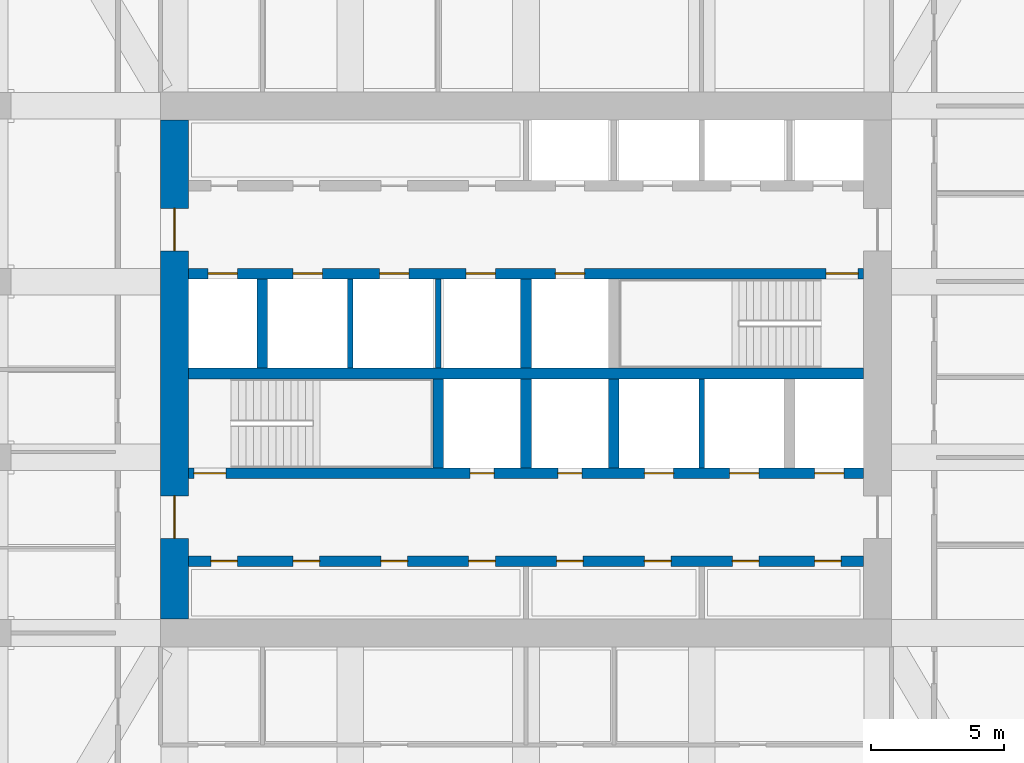
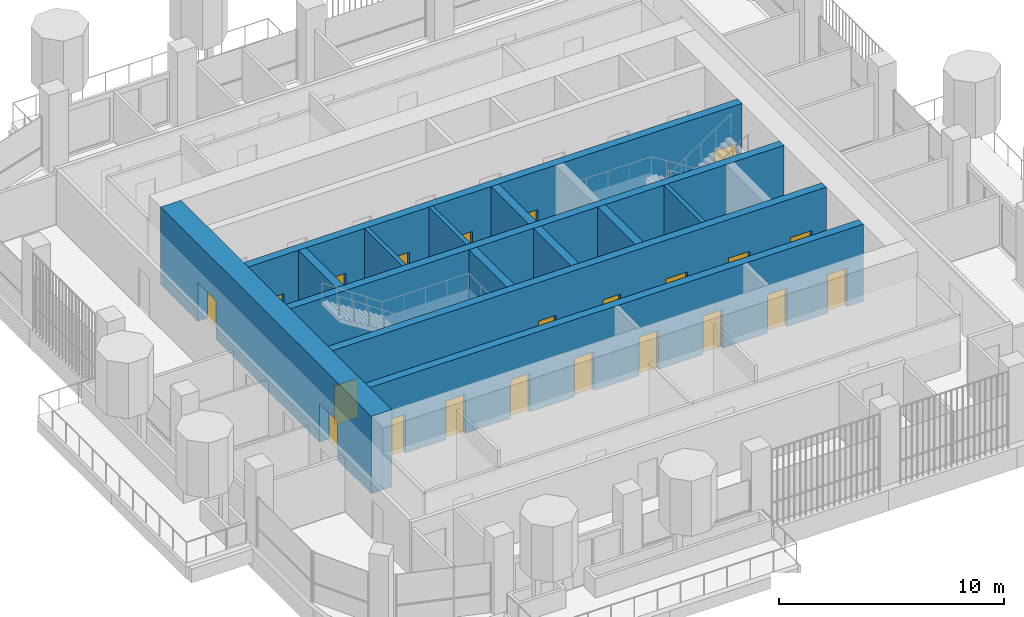
# One storey, part 13 of 20: 22 doors, 13 walls, 22 openings.
"""IFC4 building model written with IfcOpenShell, lengths in metres."""

from ifc_helpers import new_model, si_unit, direction, frame, frame_2d, origin, place, context, subcontext, project, spatial, rectangle, extrude, material, layer, layer_set, type_object, element, fill, save


model = new_model("IFC4")

# Units and contexts
model_context = context("Model", 3, precision=1e-05, world=origin(), true_north=direction((0.0, 1.0)))
body_context = subcontext(model_context, "Body", "Model", "MODEL_VIEW")
ifc_project = project(units=[si_unit("LENGTHUNIT", "METRE"), si_unit("AREAUNIT", "SQUARE_METRE"), si_unit("VOLUMEUNIT", "CUBIC_METRE"), si_unit("PLANEANGLEUNIT", "RADIAN"), si_unit("MASSUNIT", "GRAM", prefix="KILO")], contexts=[model_context])

# Site, building, storey
site_placement = place(None, origin())
site = spatial("IfcSite", under=ifc_project, at=site_placement, CompositionType="ELEMENT")
building_placement = place(site_placement, origin())
building = spatial("IfcBuilding", under=site, at=building_placement, Name="Cobogo Forest Laboratory Tower", CompositionType="ELEMENT")
storey_placement = place(building_placement, frame((0.0, 0.0, 279.60009765625)))
storey = spatial("IfcBuildingStorey", under=building, at=storey_placement, Name="L64", CompositionType="ELEMENT", Elevation=279.60009765625)

# Wall, openings, doors
ifc_material_1 = material(Name="Concrete HA-50 (C50/60)", Category="concrete")
ifc_layer_1 = layer(ifc_material_1, 0.39990234375)
ifc_layer_set_1 = layer_set([ifc_layer_1], Name="CI400 core inner wall 400")
wall_type_1 = type_object("IfcWallType", Name="CI400 core inner wall 400", PredefinedType="SHEAR", material=ifc_layer_set_1)
wall_1_placement = place(storey_placement, frame((13.72509765625, 15.89990234375, 0.0), z_axis=(0.0, 0.0, 1.0), x_axis=(1.0, 0.0, 0.0)))
wall_1 = element("IfcWall", 1, at=wall_1_placement, inside=storey, type_object=wall_type_1, Name="Core wall CI-15.9 L64", PredefinedType="SHEAR", context=body_context, shape_type="SweptSolid", body=[
    extrude(rectangle(XDim=25.349853515625, YDim=0.39990234375, at=frame_2d((12.6748046875, 0.0))), origin(), (0.0, 0.0, 1.0), 4.199951171875),
])
opening_1_placement = place(wall_1_placement, frame((0.83740234375, 0.0, 0.0)))
opening_1 = element("IfcOpeningElement", 2, at=opening_1_placement, cuts=wall_1, Name="Opening L64-D13", PredefinedType="OPENING", context=body_context, shape_type="SweptSolid", body=[
    extrude(rectangle(XDim=1.0, YDim=2.10009765625, at=frame_2d((0.5, 1.050048828125))), frame((0.0, 0.2099609375, 0.0), z_axis=(0.0, -1.0, 0.0), x_axis=(1.0, 0.0, 0.0)), (0.0, 0.0, 1.0), 0.419921875),
])
opening_2_placement = place(wall_1_placement, frame((3.925048828125, 0.0, 0.0)))
opening_2 = element("IfcOpeningElement", 3, at=opening_2_placement, cuts=wall_1, Name="Opening L64-D14", PredefinedType="OPENING", context=body_context, shape_type="SweptSolid", body=[
    extrude(rectangle(XDim=1.0, YDim=2.10009765625, at=frame_2d((0.5, 1.050048828125))), frame((0.0, 0.2099609375, 0.0), z_axis=(0.0, -1.0, 0.0), x_axis=(1.0, 0.0, 0.0)), (0.0, 0.0, 1.0), 0.419921875),
])
opening_3_placement = place(wall_1_placement, frame((7.22509765625, 0.0, 0.0)))
opening_3 = element("IfcOpeningElement", 4, at=opening_3_placement, cuts=wall_1, Name="Opening L64-D15", PredefinedType="OPENING", context=body_context, shape_type="SweptSolid", body=[
    extrude(rectangle(XDim=1.0, YDim=2.10009765625, at=frame_2d((0.5, 1.050048828125))), frame((0.0, 0.2099609375, 0.0), z_axis=(0.0, -1.0, 0.0), x_axis=(1.0, 0.0, 0.0)), (0.0, 0.0, 1.0), 0.419921875),
])
opening_4_placement = place(wall_1_placement, frame((10.52490234375, 0.0, 0.0)))
opening_4 = element("IfcOpeningElement", 5, at=opening_4_placement, cuts=wall_1, Name="Opening L64-D16", PredefinedType="OPENING", context=body_context, shape_type="SweptSolid", body=[
    extrude(rectangle(XDim=1.0, YDim=2.10009765625, at=frame_2d((0.5, 1.050048828125))), frame((0.0, 0.2099609375, 0.0), z_axis=(0.0, -1.0, 0.0), x_axis=(1.0, 0.0, 0.0)), (0.0, 0.0, 1.0), 0.419921875),
])
opening_5_placement = place(wall_1_placement, frame((13.824951171875, 0.0, 0.0)))
opening_5 = element("IfcOpeningElement", 6, at=opening_5_placement, cuts=wall_1, Name="Opening L64-D17", PredefinedType="OPENING", context=body_context, shape_type="SweptSolid", body=[
    extrude(rectangle(XDim=1.0, YDim=2.10009765625, at=frame_2d((0.5, 1.050048828125))), frame((0.0, 0.2099609375, 0.0), z_axis=(0.0, -1.0, 0.0), x_axis=(1.0, 0.0, 0.0)), (0.0, 0.0, 1.0), 0.419921875),
])
opening_6_placement = place(wall_1_placement, frame((17.125, 0.0, 0.0)))
opening_6 = element("IfcOpeningElement", 7, at=opening_6_placement, cuts=wall_1, Name="Opening L64-D18", PredefinedType="OPENING", context=body_context, shape_type="SweptSolid", body=[
    extrude(rectangle(XDim=1.0, YDim=2.10009765625, at=frame_2d((0.5, 1.050048828125))), frame((0.0, 0.2099609375, 0.0), z_axis=(0.0, -1.0, 0.0), x_axis=(1.0, 0.0, 0.0)), (0.0, 0.0, 1.0), 0.419921875),
])
opening_7_placement = place(wall_1_placement, frame((20.425048828125, 0.0, 0.0)))
opening_7 = element("IfcOpeningElement", 8, at=opening_7_placement, cuts=wall_1, Name="Opening L64-D19", PredefinedType="OPENING", context=body_context, shape_type="SweptSolid", body=[
    extrude(rectangle(XDim=1.0, YDim=2.10009765625, at=frame_2d((0.5, 1.050048828125))), frame((0.0, 0.2099609375, 0.0), z_axis=(0.0, -1.0, 0.0), x_axis=(1.0, 0.0, 0.0)), (0.0, 0.0, 1.0), 0.419921875),
])
opening_8_placement = place(wall_1_placement, frame((23.512451171875, 0.0, 0.0)))
opening_8 = element("IfcOpeningElement", 9, at=opening_8_placement, cuts=wall_1, Name="Opening L64-D20", PredefinedType="OPENING", context=body_context, shape_type="SweptSolid", body=[
    extrude(rectangle(XDim=1.0, YDim=2.10009765625, at=frame_2d((0.5, 1.050048828125))), frame((0.0, 0.2099609375, 0.0), z_axis=(0.0, -1.0, 0.0), x_axis=(1.0, 0.0, 0.0)), (0.0, 0.0, 1.0), 0.419921875),
])
ifc_material_2 = material(Name="Steel fire door", Category="steel")
door_type_1 = type_object("IfcDoorType", Name="FD1 fire door 1000 EI2 60", OperationType="SINGLE_SWING_LEFT", PredefinedType="DOOR", material=ifc_material_2)
door_1_placement = place(opening_1_placement, origin())
door_1 = element("IfcDoor", 10, at=door_1_placement, inside=storey, type_object=door_type_1, Name="Door L64-SH-LA1", OperationType="SINGLE_SWING_LEFT", OverallHeight=2.10009765625, OverallWidth=1.0, PredefinedType="DOOR", context=body_context, shape_type="SweptSolid", body=[
    extrude(rectangle(XDim=1.0, YDim=2.10009765625, at=frame_2d((0.5, 1.050048828125))), frame((0.0, 0.02490234375, 0.0), z_axis=(0.0, -1.0, 0.0), x_axis=(1.0, 0.0, 0.0)), (0.0, 0.0, 1.0), 0.050048828125),
])
fill(opening_1, door_1)
door_2_placement = place(opening_2_placement, origin())
door_2 = element("IfcDoor", 11, at=door_2_placement, inside=storey, type_object=door_type_1, Name="Door L64-SH-LA2", OperationType="SINGLE_SWING_LEFT", OverallHeight=2.10009765625, OverallWidth=1.0, PredefinedType="DOOR", context=body_context, shape_type="SweptSolid", body=[
    extrude(rectangle(XDim=1.0, YDim=2.10009765625, at=frame_2d((0.5, 1.050048828125))), frame((0.0, 0.02490234375, 0.0), z_axis=(0.0, -1.0, 0.0), x_axis=(1.0, 0.0, 0.0)), (0.0, 0.0, 1.0), 0.050048828125),
])
fill(opening_2, door_2)
door_3_placement = place(opening_3_placement, origin())
door_3 = element("IfcDoor", 12, at=door_3_placement, inside=storey, type_object=door_type_1, Name="Door L64-SH-LA3", OperationType="SINGLE_SWING_LEFT", OverallHeight=2.10009765625, OverallWidth=1.0, PredefinedType="DOOR", context=body_context, shape_type="SweptSolid", body=[
    extrude(rectangle(XDim=1.0, YDim=2.10009765625, at=frame_2d((0.5, 1.050048828125))), frame((0.0, 0.02490234375, 0.0), z_axis=(0.0, -1.0, 0.0), x_axis=(1.0, 0.0, 0.0)), (0.0, 0.0, 1.0), 0.050048828125),
])
fill(opening_3, door_3)
door_4_placement = place(opening_4_placement, origin())
door_4 = element("IfcDoor", 13, at=door_4_placement, inside=storey, type_object=door_type_1, Name="Door L64-SH-LA4", OperationType="SINGLE_SWING_LEFT", OverallHeight=2.10009765625, OverallWidth=1.0, PredefinedType="DOOR", context=body_context, shape_type="SweptSolid", body=[
    extrude(rectangle(XDim=1.0, YDim=2.10009765625, at=frame_2d((0.5, 1.050048828125))), frame((0.0, 0.02490234375, 0.0), z_axis=(0.0, -1.0, 0.0), x_axis=(1.0, 0.0, 0.0)), (0.0, 0.0, 1.0), 0.050048828125),
])
fill(opening_4, door_4)
door_5_placement = place(opening_5_placement, origin())
door_5 = element("IfcDoor", 14, at=door_5_placement, inside=storey, type_object=door_type_1, Name="Door L64-SH-LB1", OperationType="SINGLE_SWING_RIGHT", OverallHeight=2.10009765625, OverallWidth=1.0, PredefinedType="DOOR", context=body_context, shape_type="SweptSolid", body=[
    extrude(rectangle(XDim=1.0, YDim=2.10009765625, at=frame_2d((0.5, 1.050048828125))), frame((0.0, 0.02490234375, 0.0), z_axis=(0.0, -1.0, 0.0), x_axis=(1.0, 0.0, 0.0)), (0.0, 0.0, 1.0), 0.050048828125),
])
fill(opening_5, door_5)
door_6_placement = place(opening_6_placement, origin())
door_6 = element("IfcDoor", 15, at=door_6_placement, inside=storey, type_object=door_type_1, Name="Door L64-SH-LB2", OperationType="SINGLE_SWING_RIGHT", OverallHeight=2.10009765625, OverallWidth=1.0, PredefinedType="DOOR", context=body_context, shape_type="SweptSolid", body=[
    extrude(rectangle(XDim=1.0, YDim=2.10009765625, at=frame_2d((0.5, 1.050048828125))), frame((0.0, 0.02490234375, 0.0), z_axis=(0.0, -1.0, 0.0), x_axis=(1.0, 0.0, 0.0)), (0.0, 0.0, 1.0), 0.050048828125),
])
fill(opening_6, door_6)
door_7_placement = place(opening_7_placement, origin())
door_7 = element("IfcDoor", 16, at=door_7_placement, inside=storey, type_object=door_type_1, Name="Door L64-SH-LB3", OperationType="SINGLE_SWING_RIGHT", OverallHeight=2.10009765625, OverallWidth=1.0, PredefinedType="DOOR", context=body_context, shape_type="SweptSolid", body=[
    extrude(rectangle(XDim=1.0, YDim=2.10009765625, at=frame_2d((0.5, 1.050048828125))), frame((0.0, 0.02490234375, 0.0), z_axis=(0.0, -1.0, 0.0), x_axis=(1.0, 0.0, 0.0)), (0.0, 0.0, 1.0), 0.050048828125),
])
fill(opening_7, door_7)
door_8_placement = place(opening_8_placement, origin())
door_8 = element("IfcDoor", 17, at=door_8_placement, inside=storey, type_object=door_type_1, Name="Door L64-SH-LB4", OperationType="SINGLE_SWING_RIGHT", OverallHeight=2.10009765625, OverallWidth=1.0, PredefinedType="DOOR", context=body_context, shape_type="SweptSolid", body=[
    extrude(rectangle(XDim=1.0, YDim=2.10009765625, at=frame_2d((0.5, 1.050048828125))), frame((0.0, 0.02490234375, 0.0), z_axis=(0.0, -1.0, 0.0), x_axis=(1.0, 0.0, 0.0)), (0.0, 0.0, 1.0), 0.050048828125),
])
fill(opening_8, door_8)

wall_2_placement = place(storey_placement, frame((13.72509765625, 19.199951171875, 0.0), z_axis=(0.0, 0.0, 1.0), x_axis=(1.0, 0.0, 0.0)))
wall_2 = element("IfcWall", 18, at=wall_2_placement, inside=storey, type_object=wall_type_1, Name="Core wall CI-19.2 L64", PredefinedType="SHEAR", context=body_context, shape_type="SweptSolid", body=[
    extrude(rectangle(XDim=25.349853515625, YDim=0.39990234375, at=frame_2d((12.6748046875, 0.0))), origin(), (0.0, 0.0, 1.0), 4.199951171875),
])
opening_9_placement = place(wall_2_placement, frame((10.574951171875, 0.0, 0.0)))
opening_9 = element("IfcOpeningElement", 19, at=opening_9_placement, cuts=wall_2, Name="Opening L64-D28", PredefinedType="OPENING", context=body_context, shape_type="SweptSolid", body=[
    extrude(rectangle(XDim=0.89990234375, YDim=2.10009765625, at=frame_2d((0.449951171875, 1.050048828125))), frame((0.0, 0.2099609375, 0.0), z_axis=(0.0, -1.0, 0.0), x_axis=(1.0, 0.0, 0.0)), (0.0, 0.0, 1.0), 0.419921875),
])
opening_10_placement = place(wall_2_placement, frame((13.875, 0.0, 0.0)))
opening_10 = element("IfcOpeningElement", 20, at=opening_10_placement, cuts=wall_2, Name="Opening L64-D29", PredefinedType="OPENING", context=body_context, shape_type="SweptSolid", body=[
    extrude(rectangle(XDim=0.89990234375, YDim=2.10009765625, at=frame_2d((0.449951171875, 1.050048828125))), frame((0.0, 0.2099609375, 0.0), z_axis=(0.0, -1.0, 0.0), x_axis=(1.0, 0.0, 0.0)), (0.0, 0.0, 1.0), 0.419921875),
])
opening_11_placement = place(wall_2_placement, frame((0.199951171875, 0.0, 0.0)))
opening_11 = element("IfcOpeningElement", 21, at=opening_11_placement, cuts=wall_2, Name="Opening L64-D27", PredefinedType="OPENING", context=body_context, shape_type="SweptSolid", body=[
    extrude(rectangle(XDim=1.199951171875, YDim=2.10009765625, at=frame_2d((0.60009765625, 1.050048828125))), frame((0.0, 0.2099609375, 0.0), z_axis=(0.0, -1.0, 0.0), x_axis=(1.0, 0.0, 0.0)), (0.0, 0.0, 1.0), 0.419921875),
])
opening_12_placement = place(wall_2_placement, frame((23.512451171875, 0.0, 0.0)))
opening_12 = element("IfcOpeningElement", 22, at=opening_12_placement, cuts=wall_2, Name="Opening L64-LD-FL2", PredefinedType="OPENING", context=body_context, shape_type="SweptSolid", body=[
    extrude(rectangle(XDim=1.10009765625, YDim=2.10009765625, at=frame_2d((0.550048828125, 1.050048828125))), frame((0.0, 0.2099609375, 0.0), z_axis=(0.0, -1.0, 0.0), x_axis=(1.0, 0.0, 0.0)), (0.0, 0.0, 1.0), 0.419921875),
])
opening_13_placement = place(wall_2_placement, frame((17.125, 0.0, 0.0)))
opening_13 = element("IfcOpeningElement", 23, at=opening_13_placement, cuts=wall_2, Name="Opening L64-LD-LS1", PredefinedType="OPENING", context=body_context, shape_type="SweptSolid", body=[
    extrude(rectangle(XDim=1.10009765625, YDim=2.10009765625, at=frame_2d((0.550048828125, 1.050048828125))), frame((0.0, 0.2099609375, 0.0), z_axis=(0.0, -1.0, 0.0), x_axis=(1.0, 0.0, 0.0)), (0.0, 0.0, 1.0), 0.419921875),
])
opening_14_placement = place(wall_2_placement, frame((20.324951171875, 0.0, 0.0)))
opening_14 = element("IfcOpeningElement", 24, at=opening_14_placement, cuts=wall_2, Name="Opening L64-LD-LS2", PredefinedType="OPENING", context=body_context, shape_type="SweptSolid", body=[
    extrude(rectangle(XDim=1.10009765625, YDim=2.10009765625, at=frame_2d((0.550048828125, 1.050048828125))), frame((0.0, 0.2099609375, 0.0), z_axis=(0.0, -1.0, 0.0), x_axis=(1.0, 0.0, 0.0)), (0.0, 0.0, 1.0), 0.419921875),
])
door_type_2 = type_object("IfcDoorType", Name="DS1 protected stair door 1200 EI2 60", OperationType="SINGLE_SWING_LEFT", PredefinedType="DOOR", material=ifc_material_2)
door_9_placement = place(opening_11_placement, origin())
door_9 = element("IfcDoor", 25, at=door_9_placement, inside=storey, type_object=door_type_2, Name="Door L64-ST1", OperationType="SINGLE_SWING_LEFT", OverallHeight=2.10009765625, OverallWidth=1.199951171875, PredefinedType="DOOR", context=body_context, shape_type="SweptSolid", body=[
    extrude(rectangle(XDim=1.199951171875, YDim=2.10009765625, at=frame_2d((0.60009765625, 1.050048828125))), frame((0.0, 0.02490234375, 0.0), z_axis=(0.0, -1.0, 0.0), x_axis=(1.0, 0.0, 0.0)), (0.0, 0.0, 1.0), 0.050048828125),
])
fill(opening_11, door_9)
door_type_3 = type_object("IfcDoorType", Name="FD4 riser access door 900 EI2 60", OperationType="SINGLE_SWING_LEFT", PredefinedType="DOOR", material=ifc_material_2)
door_10_placement = place(opening_9_placement, origin())
door_10 = element("IfcDoor", 26, at=door_10_placement, inside=storey, type_object=door_type_3, Name="Door L64-R1", OperationType="SINGLE_SWING_LEFT", OverallHeight=2.10009765625, OverallWidth=0.89990234375, PredefinedType="DOOR", context=body_context, shape_type="SweptSolid", body=[
    extrude(rectangle(XDim=0.89990234375, YDim=2.10009765625, at=frame_2d((0.449951171875, 1.050048828125))), frame((0.0, 0.02490234375, 0.0), z_axis=(0.0, -1.0, 0.0), x_axis=(1.0, 0.0, 0.0)), (0.0, 0.0, 1.0), 0.050048828125),
])
fill(opening_9, door_10)
door_11_placement = place(opening_10_placement, origin())
door_11 = element("IfcDoor", 27, at=door_11_placement, inside=storey, type_object=door_type_3, Name="Door L64-R2", OperationType="SINGLE_SWING_RIGHT", OverallHeight=2.10009765625, OverallWidth=0.89990234375, PredefinedType="DOOR", context=body_context, shape_type="SweptSolid", body=[
    extrude(rectangle(XDim=0.89990234375, YDim=2.10009765625, at=frame_2d((0.449951171875, 1.050048828125))), frame((0.0, 0.02490234375, 0.0), z_axis=(0.0, -1.0, 0.0), x_axis=(1.0, 0.0, 0.0)), (0.0, 0.0, 1.0), 0.050048828125),
])
fill(opening_10, door_11)
ifc_material_3 = material(Name="Stainless steel lift door", Category="steel")
door_type_4 = type_object("IfcDoorType", Name="LD lift landing door 1100", OperationType="DOUBLE_DOOR_SLIDING", PredefinedType="DOOR", material=ifc_material_3)
door_12_placement = place(opening_12_placement, origin())
door_12 = element("IfcDoor", 28, at=door_12_placement, inside=storey, type_object=door_type_4, Name="Lift landing door FL2 L64", OperationType="DOUBLE_DOOR_SLIDING", OverallHeight=2.10009765625, OverallWidth=1.10009765625, PredefinedType="DOOR", context=body_context, shape_type="SweptSolid", body=[
    extrude(rectangle(XDim=1.10009765625, YDim=2.10009765625, at=frame_2d((0.550048828125, 1.050048828125))), frame((0.0, 0.02490234375, 0.0), z_axis=(0.0, -1.0, 0.0), x_axis=(1.0, 0.0, 0.0)), (0.0, 0.0, 1.0), 0.050048828125),
])
fill(opening_12, door_12)
door_13_placement = place(opening_13_placement, origin())
door_13 = element("IfcDoor", 29, at=door_13_placement, inside=storey, type_object=door_type_4, Name="Lift landing door LS1 L64", OperationType="DOUBLE_DOOR_SLIDING", OverallHeight=2.10009765625, OverallWidth=1.10009765625, PredefinedType="DOOR", context=body_context, shape_type="SweptSolid", body=[
    extrude(rectangle(XDim=1.10009765625, YDim=2.10009765625, at=frame_2d((0.550048828125, 1.050048828125))), frame((0.0, 0.02490234375, 0.0), z_axis=(0.0, -1.0, 0.0), x_axis=(1.0, 0.0, 0.0)), (0.0, 0.0, 1.0), 0.050048828125),
])
fill(opening_13, door_13)
door_14_placement = place(opening_14_placement, origin())
door_14 = element("IfcDoor", 30, at=door_14_placement, inside=storey, type_object=door_type_4, Name="Lift landing door LS2 L64", OperationType="DOUBLE_DOOR_SLIDING", OverallHeight=2.10009765625, OverallWidth=1.10009765625, PredefinedType="DOOR", context=body_context, shape_type="SweptSolid", body=[
    extrude(rectangle(XDim=1.10009765625, YDim=2.10009765625, at=frame_2d((0.550048828125, 1.050048828125))), frame((0.0, 0.02490234375, 0.0), z_axis=(0.0, -1.0, 0.0), x_axis=(1.0, 0.0, 0.0)), (0.0, 0.0, 1.0), 0.050048828125),
])
fill(opening_14, door_14)

# Wall
wall_3_placement = place(storey_placement, frame((13.72509765625, 22.949951171875, 0.0), z_axis=(0.0, 0.0, 1.0), x_axis=(1.0, 0.0, 0.0)))
element("IfcWall", 31, at=wall_3_placement, inside=storey, type_object=wall_type_1, Name="Core wall CI-22.95 L64", PredefinedType="SHEAR", context=body_context, shape_type="SweptSolid", body=[
    extrude(rectangle(XDim=25.349853515625, YDim=0.39990234375, at=frame_2d((12.6748046875, 0.0))), origin(), (0.0, 0.0, 1.0), 4.199951171875),
])

# Wall, openings, doors
wall_4_placement = place(storey_placement, frame((13.72509765625, 26.699951171875, 0.0), z_axis=(0.0, 0.0, 1.0), x_axis=(1.0, 0.0, 0.0)))
wall_4 = element("IfcWall", 32, at=wall_4_placement, inside=storey, type_object=wall_type_1, Name="Core wall CI-26.7 L64", PredefinedType="SHEAR", context=body_context, shape_type="SweptSolid", body=[
    extrude(rectangle(XDim=25.349853515625, YDim=0.39990234375, at=frame_2d((12.6748046875, 0.0))), origin(), (0.0, 0.0, 1.0), 4.199951171875),
])
opening_15_placement = place(wall_4_placement, frame((23.949951171875, 0.0, 0.0)))
opening_15 = element("IfcOpeningElement", 33, at=opening_15_placement, cuts=wall_4, Name="Opening L64-D33", PredefinedType="OPENING", context=body_context, shape_type="SweptSolid", body=[
    extrude(rectangle(XDim=1.199951171875, YDim=2.10009765625, at=frame_2d((0.60009765625, 1.050048828125))), frame((0.0, 0.2099609375, 0.0), z_axis=(0.0, -1.0, 0.0), x_axis=(1.0, 0.0, 0.0)), (0.0, 0.0, 1.0), 0.419921875),
])
opening_16_placement = place(wall_4_placement, frame((0.737548828125, 0.0, 0.0)))
opening_16 = element("IfcOpeningElement", 34, at=opening_16_placement, cuts=wall_4, Name="Opening L64-LD-FL1", PredefinedType="OPENING", context=body_context, shape_type="SweptSolid", body=[
    extrude(rectangle(XDim=1.10009765625, YDim=2.10009765625, at=frame_2d((0.550048828125, 1.050048828125))), frame((0.0, 0.2099609375, 0.0), z_axis=(0.0, -1.0, 0.0), x_axis=(1.0, 0.0, 0.0)), (0.0, 0.0, 1.0), 0.419921875),
])
opening_17_placement = place(wall_4_placement, frame((3.925048828125, 0.0, 0.0)))
opening_17 = element("IfcOpeningElement", 35, at=opening_17_placement, cuts=wall_4, Name="Opening L64-LD-LS3", PredefinedType="OPENING", context=body_context, shape_type="SweptSolid", body=[
    extrude(rectangle(XDim=1.10009765625, YDim=2.10009765625, at=frame_2d((0.550048828125, 1.050048828125))), frame((0.0, 0.2099609375, 0.0), z_axis=(0.0, -1.0, 0.0), x_axis=(1.0, 0.0, 0.0)), (0.0, 0.0, 1.0), 0.419921875),
])
opening_18_placement = place(wall_4_placement, frame((7.175048828125, 0.0, 0.0)))
opening_18 = element("IfcOpeningElement", 36, at=opening_18_placement, cuts=wall_4, Name="Opening L64-LD-LS4", PredefinedType="OPENING", context=body_context, shape_type="SweptSolid", body=[
    extrude(rectangle(XDim=1.10009765625, YDim=2.10009765625, at=frame_2d((0.550048828125, 1.050048828125))), frame((0.0, 0.2099609375, 0.0), z_axis=(0.0, -1.0, 0.0), x_axis=(1.0, 0.0, 0.0)), (0.0, 0.0, 1.0), 0.419921875),
])
opening_19_placement = place(wall_4_placement, frame((10.425048828125, 0.0, 0.0)))
opening_19 = element("IfcOpeningElement", 37, at=opening_19_placement, cuts=wall_4, Name="Opening L64-LD-LS5", PredefinedType="OPENING", context=body_context, shape_type="SweptSolid", body=[
    extrude(rectangle(XDim=1.10009765625, YDim=2.10009765625, at=frame_2d((0.550048828125, 1.050048828125))), frame((0.0, 0.2099609375, 0.0), z_axis=(0.0, -1.0, 0.0), x_axis=(1.0, 0.0, 0.0)), (0.0, 0.0, 1.0), 0.419921875),
])
opening_20_placement = place(wall_4_placement, frame((13.77490234375, 0.0, 0.0)))
opening_20 = element("IfcOpeningElement", 38, at=opening_20_placement, cuts=wall_4, Name="Opening L64-LD-LS6", PredefinedType="OPENING", context=body_context, shape_type="SweptSolid", body=[
    extrude(rectangle(XDim=1.10009765625, YDim=2.10009765625, at=frame_2d((0.550048828125, 1.050048828125))), frame((0.0, 0.2099609375, 0.0), z_axis=(0.0, -1.0, 0.0), x_axis=(1.0, 0.0, 0.0)), (0.0, 0.0, 1.0), 0.419921875),
])
door_15_placement = place(opening_15_placement, origin())
door_15 = element("IfcDoor", 39, at=door_15_placement, inside=storey, type_object=door_type_2, Name="Door L64-ST2", OperationType="SINGLE_SWING_RIGHT", OverallHeight=2.10009765625, OverallWidth=1.199951171875, PredefinedType="DOOR", context=body_context, shape_type="SweptSolid", body=[
    extrude(rectangle(XDim=1.199951171875, YDim=2.10009765625, at=frame_2d((0.60009765625, 1.050048828125))), frame((0.0, 0.02490234375, 0.0), z_axis=(0.0, -1.0, 0.0), x_axis=(1.0, 0.0, 0.0)), (0.0, 0.0, 1.0), 0.050048828125),
])
fill(opening_15, door_15)
door_16_placement = place(opening_16_placement, origin())
door_16 = element("IfcDoor", 40, at=door_16_placement, inside=storey, type_object=door_type_4, Name="Lift landing door FL1 L64", OperationType="DOUBLE_DOOR_SLIDING", OverallHeight=2.10009765625, OverallWidth=1.10009765625, PredefinedType="DOOR", context=body_context, shape_type="SweptSolid", body=[
    extrude(rectangle(XDim=1.10009765625, YDim=2.10009765625, at=frame_2d((0.550048828125, 1.050048828125))), frame((0.0, 0.02490234375, 0.0), z_axis=(0.0, -1.0, 0.0), x_axis=(1.0, 0.0, 0.0)), (0.0, 0.0, 1.0), 0.050048828125),
])
fill(opening_16, door_16)
door_17_placement = place(opening_17_placement, origin())
door_17 = element("IfcDoor", 41, at=door_17_placement, inside=storey, type_object=door_type_4, Name="Lift landing door LS3 L64", OperationType="DOUBLE_DOOR_SLIDING", OverallHeight=2.10009765625, OverallWidth=1.10009765625, PredefinedType="DOOR", context=body_context, shape_type="SweptSolid", body=[
    extrude(rectangle(XDim=1.10009765625, YDim=2.10009765625, at=frame_2d((0.550048828125, 1.050048828125))), frame((0.0, 0.02490234375, 0.0), z_axis=(0.0, -1.0, 0.0), x_axis=(1.0, 0.0, 0.0)), (0.0, 0.0, 1.0), 0.050048828125),
])
fill(opening_17, door_17)
door_18_placement = place(opening_18_placement, origin())
door_18 = element("IfcDoor", 42, at=door_18_placement, inside=storey, type_object=door_type_4, Name="Lift landing door LS4 L64", OperationType="DOUBLE_DOOR_SLIDING", OverallHeight=2.10009765625, OverallWidth=1.10009765625, PredefinedType="DOOR", context=body_context, shape_type="SweptSolid", body=[
    extrude(rectangle(XDim=1.10009765625, YDim=2.10009765625, at=frame_2d((0.550048828125, 1.050048828125))), frame((0.0, 0.02490234375, 0.0), z_axis=(0.0, -1.0, 0.0), x_axis=(1.0, 0.0, 0.0)), (0.0, 0.0, 1.0), 0.050048828125),
])
fill(opening_18, door_18)
door_19_placement = place(opening_19_placement, origin())
door_19 = element("IfcDoor", 43, at=door_19_placement, inside=storey, type_object=door_type_4, Name="Lift landing door LS5 L64", OperationType="DOUBLE_DOOR_SLIDING", OverallHeight=2.10009765625, OverallWidth=1.10009765625, PredefinedType="DOOR", context=body_context, shape_type="SweptSolid", body=[
    extrude(rectangle(XDim=1.10009765625, YDim=2.10009765625, at=frame_2d((0.550048828125, 1.050048828125))), frame((0.0, 0.02490234375, 0.0), z_axis=(0.0, -1.0, 0.0), x_axis=(1.0, 0.0, 0.0)), (0.0, 0.0, 1.0), 0.050048828125),
])
fill(opening_19, door_19)
door_20_placement = place(opening_20_placement, origin())
door_20 = element("IfcDoor", 44, at=door_20_placement, inside=storey, type_object=door_type_4, Name="Lift landing door LS6 L64", OperationType="DOUBLE_DOOR_SLIDING", OverallHeight=2.10009765625, OverallWidth=1.10009765625, PredefinedType="DOOR", context=body_context, shape_type="SweptSolid", body=[
    extrude(rectangle(XDim=1.10009765625, YDim=2.10009765625, at=frame_2d((0.550048828125, 1.050048828125))), frame((0.0, 0.02490234375, 0.0), z_axis=(0.0, -1.0, 0.0), x_axis=(1.0, 0.0, 0.0)), (0.0, 0.0, 1.0), 0.050048828125),
])
fill(opening_20, door_20)

# Walls
for number, where, z_axis, x_axis, name in (
    (45, (23.10009765625, 19.39990234375, 0.0), (0.0, 0.0, 1.0), (0.0, 1.0, 0.0), "Core wall CX-23.1 L64"),
    (46, (26.39990234375, 19.39990234375, 0.0), (0.0, 0.0, 1.0), (0.0, 1.0, 0.0), "Core wall CX-26.4S L64"),
    (47, (29.699951171875, 19.39990234375, 0.0), (0.0, 0.0, 1.0), (0.0, 1.0, 0.0), "Core wall CX-29.7S L64"),
    (48, (16.5, 23.14990234375, 0.0), (0.0, 0.0, 1.0), (0.0, 1.0, 0.0), "Core wall CX-16.5 L64"),
    (49, (26.39990234375, 23.14990234375, 0.0), (0.0, 0.0, 1.0), (0.0, 1.0, 0.0), "Core wall CX-26.4N L64"),
):
    element("IfcWall", number, at=place(storey_placement, frame(where, z_axis=z_axis, x_axis=x_axis)), inside=storey, type_object=wall_type_1, Name=name, PredefinedType="SHEAR", context=body_context, shape_type="SweptSolid", body=[
        extrude(rectangle(XDim=3.35009765625, YDim=0.39990234375, at=frame_2d((1.675048828125, 0.0))), origin(), (0.0, 0.0, 1.0), 4.199951171875),
    ])

# Wall, openings, doors
ifc_layer_2 = layer(ifc_material_1, 1.050048828125)
ifc_layer_set_2 = layer_set([ifc_layer_2], Name="CW1050 core outer wall 1050")
wall_type_2 = type_object("IfcWallType", Name="CW1050 core outer wall 1050", PredefinedType="SHEAR", material=ifc_layer_set_2)
wall_5_placement = place(storey_placement, frame((13.199951171875, 32.47509765625, 0.0), z_axis=(0.0, 0.0, 1.0), x_axis=(0.0, -1.0, 0.0)))
wall_5 = element("IfcWall", 50, at=wall_5_placement, inside=storey, type_object=wall_type_2, Name="Core wall CO-W L64", PredefinedType="SHEAR", context=body_context, shape_type="SweptSolid", body=[
    extrude(rectangle(XDim=18.75, YDim=1.050048828125, at=frame_2d((9.375, 0.0))), origin(), (0.0, 0.0, 1.0), 4.199951171875),
])
opening_21_placement = place(wall_5_placement, frame((14.125, 0.0, 0.0)))
opening_21 = element("IfcOpeningElement", 51, at=opening_21_placement, cuts=wall_5, Name="Opening L64-D23", PredefinedType="OPENING", context=body_context, shape_type="SweptSolid", body=[
    extrude(rectangle(XDim=1.60009765625, YDim=2.10009765625, at=frame_2d((0.800048828125, 1.050048828125))), frame((0.0, 0.534912109375, 0.0), z_axis=(0.0, -1.0, 0.0), x_axis=(1.0, 0.0, 0.0)), (0.0, 0.0, 1.0), 1.070068359375),
])
opening_22_placement = place(wall_5_placement, frame((3.324951171875, 0.0, 0.0)))
opening_22 = element("IfcOpeningElement", 52, at=opening_22_placement, cuts=wall_5, Name="Opening L64-D35", PredefinedType="OPENING", context=body_context, shape_type="SweptSolid", body=[
    extrude(rectangle(XDim=1.60009765625, YDim=2.10009765625, at=frame_2d((0.800048828125, 1.050048828125))), frame((0.0, 0.534912109375, 0.0), z_axis=(0.0, -1.0, 0.0), x_axis=(1.0, 0.0, 0.0)), (0.0, 0.0, 1.0), 1.070068359375),
])
door_type_5 = type_object("IfcDoorType", Name="DS2 protected lobby door pair 1600 EI2 60", OperationType="DOUBLE_DOOR_DOUBLE_SWING", PredefinedType="DOOR", material=ifc_material_2)
door_21_placement = place(opening_21_placement, origin())
door_21 = element("IfcDoor", 53, at=door_21_placement, inside=storey, type_object=door_type_5, Name="Door L64-CO-W-S", OperationType="DOUBLE_DOOR_DOUBLE_SWING", OverallHeight=2.10009765625, OverallWidth=1.60009765625, PredefinedType="DOOR", context=body_context, shape_type="SweptSolid", body=[
    extrude(rectangle(XDim=1.60009765625, YDim=2.10009765625, at=frame_2d((0.800048828125, 1.050048828125))), frame((0.0, 0.02490234375, 0.0), z_axis=(0.0, -1.0, 0.0), x_axis=(1.0, 0.0, 0.0)), (0.0, 0.0, 1.0), 0.050048828125),
])
fill(opening_21, door_21)
door_22_placement = place(opening_22_placement, origin())
door_22 = element("IfcDoor", 54, at=door_22_placement, inside=storey, type_object=door_type_5, Name="Door L64-CO-W-N", OperationType="DOUBLE_DOOR_DOUBLE_SWING", OverallHeight=2.10009765625, OverallWidth=1.60009765625, PredefinedType="DOOR", context=body_context, shape_type="SweptSolid", body=[
    extrude(rectangle(XDim=1.60009765625, YDim=2.10009765625, at=frame_2d((0.800048828125, 1.050048828125))), frame((0.0, 0.02490234375, 0.0), z_axis=(0.0, -1.0, 0.0), x_axis=(1.0, 0.0, 0.0)), (0.0, 0.0, 1.0), 0.050048828125),
])
fill(opening_22, door_22)

# Walls
ifc_material_4 = material(Name="Concrete block", Category="concrete")
ifc_layer_3 = layer(ifc_material_4, 0.199951171875)
ifc_layer_set_3 = layer_set([ifc_layer_3], Name="SW200 lift shaft separator 200")
wall_type_3 = type_object("IfcWallType", Name="SW200 lift shaft separator 200", PredefinedType="PARTITIONING", material=ifc_layer_set_3)
for number, where, z_axis, x_axis, name in (
    (55, (33.0, 19.39990234375, 0.0), (0.0, 0.0, 1.0), (0.0, 1.0, 0.0), "Core wall SEP-M33.0 L64"),
    (56, (19.800048828125, 23.14990234375, 0.0), (0.0, 0.0, 1.0), (0.0, 1.0, 0.0), "Core wall SEP-M19.8 L64"),
    (57, (23.10009765625, 23.14990234375, 0.0), (0.0, 0.0, 1.0), (0.0, 1.0, 0.0), "Core wall SEP-M23.1 L64"),
):
    element("IfcWall", number, at=place(storey_placement, frame(where, z_axis=z_axis, x_axis=x_axis)), inside=storey, type_object=wall_type_3, Name=name, PredefinedType="PARTITIONING", context=body_context, shape_type="SweptSolid", body=[
        extrude(rectangle(XDim=3.35009765625, YDim=0.199951171875, at=frame_2d((1.675048828125, 0.0))), origin(), (0.0, 0.0, 1.0), 4.199951171875),
    ])

save(model, "model.ifc")
